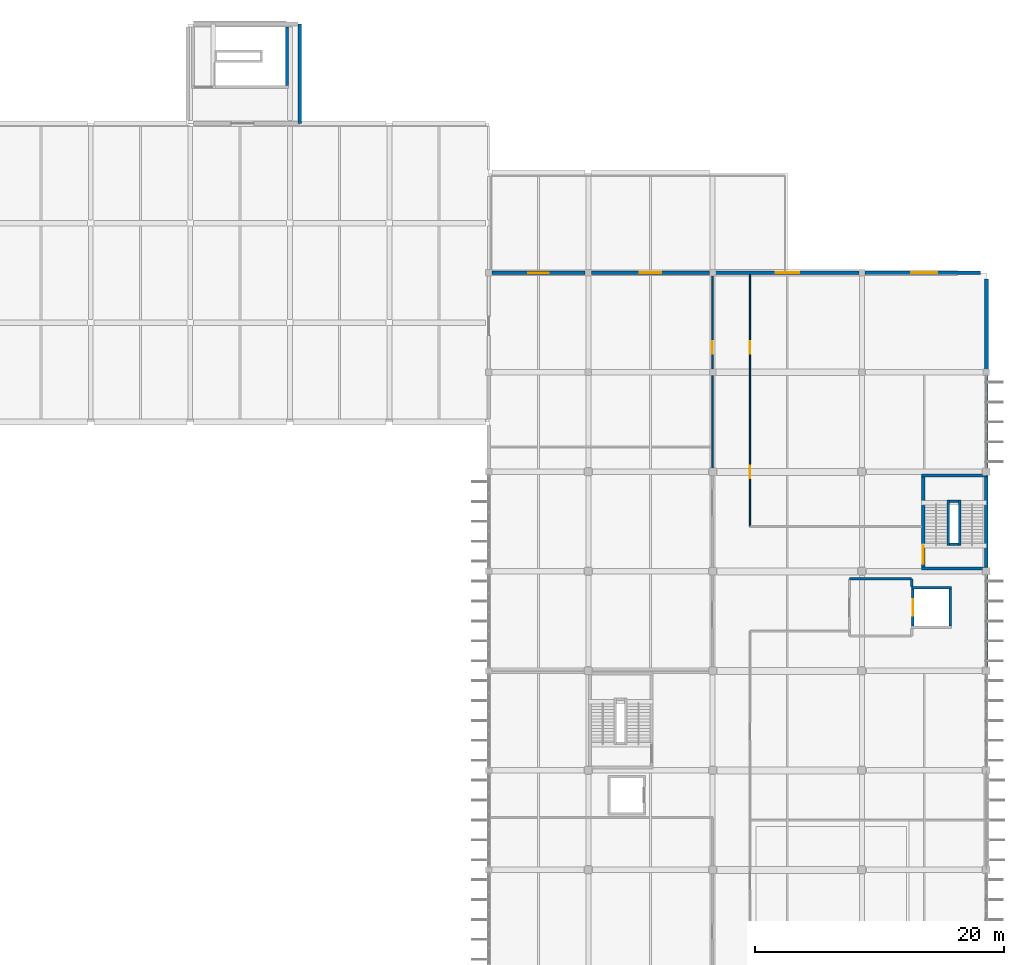
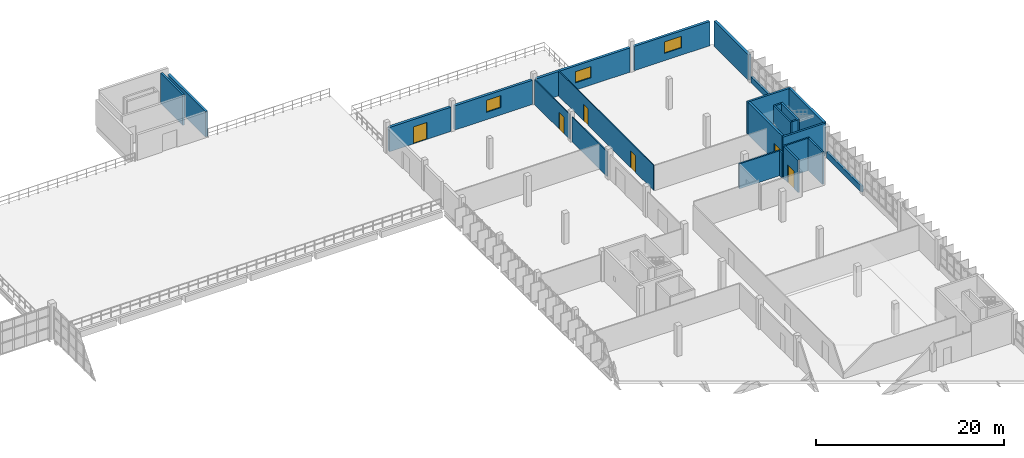
# One storey, part 53 of 66: 25 walls, 6 doors, 3 windows, 9 openings.
"""IFC4 building model written with IfcOpenShell, lengths in metres."""

from ifc_helpers import new_model, si_unit, direction, frame, frame_2d, origin, place, context, subcontext, project, spatial, rectangle, extrude, material, layer, layer_set, type_object, element, fill, save


model = new_model("IFC4")

# Units and contexts
model_context = context("Model", 3, precision=1e-05, world=origin(), true_north=direction((0.0, 1.0)))
body_context = subcontext(model_context, "Body", "Model", "MODEL_VIEW")
ifc_project = project(units=[si_unit("LENGTHUNIT", "METRE"), si_unit("AREAUNIT", "SQUARE_METRE"), si_unit("VOLUMEUNIT", "CUBIC_METRE"), si_unit("PLANEANGLEUNIT", "RADIAN"), si_unit("MASSUNIT", "GRAM", prefix="KILO")], contexts=[model_context])

# Site, building, storey
site_placement = place(None, origin())
site = spatial("IfcSite", under=ifc_project, at=site_placement, CompositionType="ELEMENT")
building_placement = place(site_placement, origin())
building = spatial("IfcBuilding", under=site, at=building_placement, Name="Drelvana Railside Aquatics Centre", CompositionType="ELEMENT")
storey_placement = place(building_placement, frame((0.0, 0.0, 10.199951171875)))
storey = spatial("IfcBuildingStorey", under=building, at=storey_placement, Name="L02", CompositionType="ELEMENT", Elevation=10.199951171875)

# Walls
ifc_material_1 = material(Name="Concrete blockwork compartment wall", Category="masonry")
ifc_layer_1 = layer(ifc_material_1, 0.18505859375, Name="Concrete blockwork compartment wall")
ifc_layer_set_1 = layer_set([ifc_layer_1], Name="Concrete blockwork compartment wall")
wall_type_1 = type_object("IfcWallType", Name="WL-COMP-185", PredefinedType="STANDARD", material=ifc_layer_set_1)
wall_1_placement = place(storey_placement, frame((173.0, 71.39990234375, 0.0), z_axis=(0.0, 0.0, 1.0), x_axis=(1.0, 0.0, 0.0)))
element("IfcWall", 1, at=wall_1_placement, inside=storey, type_object=wall_type_1, Name="Firefighting lobby FL-02 N wall (L02)", PredefinedType="STANDARD", context=body_context, shape_type="SweptSolid", body=[
    extrude(rectangle(XDim=5.0, YDim=0.18505859375, at=frame_2d((2.5, 0.0))), origin(), (0.0, 0.0, 1.0), 3.239990234375),
])
wall_2_placement = place(storey_placement, frame((178.0, 70.800048828125, 0.0), z_axis=(0.0, 0.0, 1.0), x_axis=(0.0, 1.0, 0.0)))
element("IfcWall", 2, at=wall_2_placement, inside=storey, type_object=wall_type_1, Name="Firefighting lobby FL-02 SHN wall (L02)", PredefinedType="STANDARD", context=body_context, shape_type="SweptSolid", body=[
    extrude(rectangle(XDim=0.599853515625, YDim=0.18505859375, at=frame_2d((0.2998046875, 0.0))), origin(), (0.0, 0.0, 1.0), 3.239990234375),
])
ifc_material_2 = material(Name="Concrete C40/50", Category="concrete")
ifc_layer_2 = layer(ifc_material_2, 0.25, Name="Concrete C40/50")
ifc_layer_set_2 = layer_set([ifc_layer_2], Name="Concrete C40/50")
wall_type_2 = type_object("IfcWallType", Name="WL-CORE-250", PredefinedType="SHEAR", material=ifc_layer_set_2)
wall_3_placement = place(storey_placement, frame((127.77490234375, 111.050048828125, 0.0), z_axis=(0.0, 0.0, 1.0), x_axis=(0.0, 1.0, 0.0)))
element("IfcWall", 3, at=wall_3_placement, inside=storey, type_object=wall_type_2, Name="Core 5 Changing Pavilion North E core wall (L02)", PredefinedType="SHEAR", context=body_context, shape_type="SweptSolid", body=[
    extrude(rectangle(XDim=4.699951171875, YDim=0.25, at=frame_2d((2.35009765625, 0.0))), origin(), (0.0, 0.0, 1.0), 3.9599609375),
])
for number, where, z_axis, x_axis, name in (
    (4, (178.800048828125, 72.22509765625, 0.0), (0.0, 0.0, 1.0), (1.0, 0.0, 0.0), "Core 7 Federation Wing Avenue-East S core wall (L02)"),
    (5, (178.800048828125, 79.715087890625, 0.0), (0.0, 0.0, 1.0), (1.0, 0.0, 0.0), "Core 7 Federation Wing Avenue-East N core wall (L02)"),
):
    element("IfcWall", number, at=place(storey_placement, frame(where, z_axis=z_axis, x_axis=x_axis)), inside=storey, type_object=wall_type_2, Name=name, PredefinedType="SHEAR", context=body_context, shape_type="SweptSolid", body=[
        extrude(rectangle(XDim=5.199951171875, YDim=0.25, at=frame_2d((2.60009765625, 0.0))), origin(), (0.0, 0.0, 1.0), 4.199951171875),
    ])

# Wall, opening, door
wall_4_placement = place(storey_placement, frame((178.925048828125, 72.35009765625, 0.0), z_axis=(0.0, 0.0, 1.0), x_axis=(0.0, 1.0, 0.0)))
wall_4 = element("IfcWall", 6, at=wall_4_placement, inside=storey, type_object=wall_type_2, Name="Core 7 Federation Wing Avenue-East W core wall (L02)", PredefinedType="SHEAR", context=body_context, shape_type="SweptSolid", body=[
    extrude(rectangle(XDim=7.239990234375, YDim=0.25, at=frame_2d((3.6201171875, 0.0))), origin(), (0.0, 0.0, 1.0), 4.199951171875),
])
opening_1_placement = place(wall_4_placement, frame((0.25, 0.0, 0.0)))
opening_1 = element("IfcOpeningElement", 7, at=opening_1_placement, cuts=wall_4, Name="Opening D-01-056", PredefinedType="OPENING", context=body_context, shape_type="SweptSolid", body=[
    extrude(rectangle(XDim=1.449951171875, YDim=2.199951171875, at=frame_2d((0.72509765625, 1.10009765625))), frame((0.0, 0.135009765625, 0.0), z_axis=(0.0, -1.0, 0.0), x_axis=(1.0, 0.0, 0.0)), (0.0, 0.0, 1.0), 0.27001953125),
])
ifc_material_3 = material(Name="Fire-rated steel and vision-panel door", Category="steel")
door_type_1 = type_object("IfcDoorType", Name="DR-INT-STAIR-1450x2200", OperationType="DOUBLE_DOOR_SINGLE_SWING", PredefinedType="DOOR", material=ifc_material_3)
door_1_placement = place(opening_1_placement, origin())
door_1 = element("IfcDoor", 8, at=door_1_placement, inside=storey, type_object=door_type_1, Name="Stair ST-07 lobby door D-01-056", OperationType="DOUBLE_DOOR_SINGLE_SWING", OverallHeight=2.199951171875, OverallWidth=1.449951171875, PredefinedType="DOOR", context=body_context, shape_type="SweptSolid", body=[
    extrude(rectangle(XDim=1.449951171875, YDim=2.199951171875, at=frame_2d((0.72509765625, 1.10009765625))), frame((0.0, 0.02490234375, 0.0), z_axis=(0.0, -1.0, 0.0), x_axis=(1.0, 0.0, 0.0)), (0.0, 0.0, 1.0), 0.050048828125),
])
fill(opening_1, door_1)

# Walls
ifc_layer_3 = layer(ifc_material_2, 0.300048828125, Name="Concrete C40/50")
ifc_layer_set_3 = layer_set([ifc_layer_3], Name="Concrete C40/50")
wall_type_3 = type_object("IfcWallType", Name="WL-CORE-300", PredefinedType="SHEAR", material=ifc_layer_set_3)
wall_5_placement = place(storey_placement, frame((184.0, 72.2958984375, 0.0), z_axis=(0.0, 0.0, 1.0), x_axis=(0.0, 1.0, 0.0)))
element("IfcWall", 9, at=wall_5_placement, inside=storey, type_object=wall_type_3, Name="Core east avenue shear wall 72 (L02)", PredefinedType="SHEAR", context=body_context, shape_type="SweptSolid", body=[
    extrude(rectangle(XDim=7.408203125, YDim=0.300048828125, at=frame_2d((3.7041015625, 0.0))), origin(), (0.0, 0.0, 1.0), 4.199951171875),
])
ifc_material_4 = material(Name="Acoustic twin-stud gypsum partition", Category="gypsum")
ifc_layer_4 = layer(ifc_material_4, 0.1201171875, Name="Acoustic twin-stud gypsum partition")
ifc_layer_set_4 = layer_set([ifc_layer_4], Name="Acoustic twin-stud gypsum partition")
wall_type_4 = type_object("IfcWallType", Name="WL-DRY-120", PredefinedType="PARTITIONING", material=ifc_layer_set_4)
wall_6_placement = place(storey_placement, frame((162.0, 80.302001953125, 0.0), z_axis=(0.0, 0.0, 1.0), x_axis=(0.0, 1.0, 0.0)))
element("IfcWall", 10, at=wall_6_placement, inside=storey, type_object=wall_type_4, Name="V5 L02 west corridor wall", PredefinedType="PARTITIONING", context=body_context, shape_type="SweptSolid", body=[
    extrude(rectangle(XDim=7.446044921875, YDim=0.1201171875, at=frame_2d((3.72314453125, 0.0))), origin(), (0.0, 0.0, 1.0), 3.239990234375),
])

# Wall, opening, door
wall_7_placement = place(storey_placement, frame((162.0, 88.251953125, 0.0), z_axis=(0.0, 0.0, 1.0), x_axis=(0.0, 1.0, 0.0)))
wall_7 = element("IfcWall", 11, at=wall_7_placement, inside=storey, type_object=wall_type_4, Name="V5 L02 west corridor wall", PredefinedType="PARTITIONING", context=body_context, shape_type="SweptSolid", body=[
    extrude(rectangle(XDim=7.49609375, YDim=0.1201171875, at=frame_2d((3.748046875, 0.0))), origin(), (0.0, 0.0, 1.0), 3.239990234375),
])
opening_2_placement = place(wall_7_placement, frame((1.248046875, 0.0, 0.0)))
opening_2 = element("IfcOpeningElement", 12, at=opening_2_placement, cuts=wall_7, Name="Opening D-09-228", PredefinedType="OPENING", context=body_context, shape_type="SweptSolid", body=[
    extrude(rectangle(XDim=1.0, YDim=2.14990234375, at=frame_2d((0.5, 1.074951171875))), frame((0.0, 0.070068359375, 0.0), z_axis=(0.0, -1.0, 0.0), x_axis=(1.0, 0.0, 0.0)), (0.0, 0.0, 1.0), 0.14013671875),
])
ifc_material_5 = material(Name="Hardwood acoustic room door", Category="wood")
door_type_2 = type_object("IfcDoorType", Name="DR-INT-ROOM-1000x2150", OperationType="NOTDEFINED", PredefinedType="DOOR", material=ifc_material_5)
door_2_placement = place(opening_2_placement, origin())
door_2 = element("IfcDoor", 13, at=door_2_placement, inside=storey, type_object=door_type_2, Name="North terrace sun lounge door D-09-228", OperationType="SINGLE_SWING_LEFT", OverallHeight=2.14990234375, OverallWidth=1.0, PredefinedType="DOOR", context=body_context, shape_type="SweptSolid", body=[
    extrude(rectangle(XDim=1.0, YDim=2.14990234375, at=frame_2d((0.5, 1.074951171875))), frame((0.0, 0.02490234375, 0.0), z_axis=(0.0, -1.0, 0.0), x_axis=(1.0, 0.0, 0.0)), (0.0, 0.0, 1.0), 0.050048828125),
])
fill(opening_2, door_2)

# Wall, openings, doors
wall_8_placement = place(storey_placement, frame((165.0, 75.60009765625, 0.0), z_axis=(0.0, 0.0, 1.0), x_axis=(0.0, 1.0, 0.0)))
wall_8 = element("IfcWall", 14, at=wall_8_placement, inside=storey, type_object=wall_type_4, Name="V5 L02 east corridor wall", PredefinedType="PARTITIONING", context=body_context, shape_type="SweptSolid", body=[
    extrude(rectangle(XDim=20.25, YDim=0.1201171875, at=frame_2d((10.125, 0.0))), origin(), (0.0, 0.0, 1.0), 3.239990234375),
])
opening_3_placement = place(wall_8_placement, frame((3.89990234375, 0.0, 0.0)))
opening_3 = element("IfcOpeningElement", 15, at=opening_3_placement, cuts=wall_8, Name="Opening D-09-235", PredefinedType="OPENING", context=body_context, shape_type="SweptSolid", body=[
    extrude(rectangle(XDim=1.0, YDim=2.14990234375, at=frame_2d((0.5, 1.074951171875))), frame((0.0, 0.070068359375, 0.0), z_axis=(0.0, -1.0, 0.0), x_axis=(1.0, 0.0, 0.0)), (0.0, 0.0, 1.0), 0.14013671875),
])
opening_4_placement = place(wall_8_placement, frame((13.89990234375, 0.0, 0.0)))
opening_4 = element("IfcOpeningElement", 16, at=opening_4_placement, cuts=wall_8, Name="Opening D-09-236", PredefinedType="OPENING", context=body_context, shape_type="SweptSolid", body=[
    extrude(rectangle(XDim=1.0, YDim=2.14990234375, at=frame_2d((0.5, 1.074951171875))), frame((0.0, 0.070068359375, 0.0), z_axis=(0.0, -1.0, 0.0), x_axis=(1.0, 0.0, 0.0)), (0.0, 0.0, 1.0), 0.14013671875),
])
door_3_placement = place(opening_3_placement, origin())
door_3 = element("IfcDoor", 17, at=door_3_placement, inside=storey, type_object=door_type_2, Name="Holistic treatment south door D-09-235", OperationType="SINGLE_SWING_RIGHT", OverallHeight=2.14990234375, OverallWidth=1.0, PredefinedType="DOOR", context=body_context, shape_type="SweptSolid", body=[
    extrude(rectangle(XDim=1.0, YDim=2.14990234375, at=frame_2d((0.5, 1.074951171875))), frame((0.0, 0.02490234375, 0.0), z_axis=(0.0, -1.0, 0.0), x_axis=(1.0, 0.0, 0.0)), (0.0, 0.0, 1.0), 0.050048828125),
])
fill(opening_3, door_3)
door_4_placement = place(opening_4_placement, origin())
door_4 = element("IfcDoor", 18, at=door_4_placement, inside=storey, type_object=door_type_2, Name="Holistic treatment north door D-09-236", OperationType="SINGLE_SWING_LEFT", OverallHeight=2.14990234375, OverallWidth=1.0, PredefinedType="DOOR", context=body_context, shape_type="SweptSolid", body=[
    extrude(rectangle(XDim=1.0, YDim=2.14990234375, at=frame_2d((0.5, 1.074951171875))), frame((0.0, 0.02490234375, 0.0), z_axis=(0.0, -1.0, 0.0), x_axis=(1.0, 0.0, 0.0)), (0.0, 0.0, 1.0), 0.050048828125),
])
fill(opening_4, door_4)

# Walls
ifc_material_6 = material(Name="Glazed ceramic spandrel wall", Category="masonry")
ifc_layer_5 = layer(ifc_material_6, 0.27001953125, Name="Glazed ceramic spandrel wall")
ifc_layer_set_5 = layer_set([ifc_layer_5], Name="Glazed ceramic spandrel wall")
wall_type_5 = type_object("IfcWallType", Name="WL-EXT-270", PredefinedType="STANDARD", material=ifc_layer_set_5)
wall_9_placement = place(storey_placement, frame((184.0, 64.2958984375, 0.0), z_axis=(0.0, 0.0, 1.0), x_axis=(0.0, 1.0, 0.0)))
element("IfcWall", 19, at=wall_9_placement, inside=storey, type_object=wall_type_5, Name="V5 East L02 sill spandrel", PredefinedType="STANDARD", context=body_context, shape_type="SweptSolid", body=[
    extrude(rectangle(XDim=7.408203125, YDim=0.27001953125, at=frame_2d((3.7041015625, 0.0))), origin(), (0.0, 0.0, 1.0), 0.800048828125),
])
wall_10_placement = place(storey_placement, frame((184.0, 80.2958984375, 0.0), z_axis=(0.0, 0.0, 1.0), x_axis=(0.0, 1.0, 0.0)))
element("IfcWall", 20, at=wall_10_placement, inside=storey, type_object=wall_type_5, Name="V5 East L02 sill spandrel", PredefinedType="STANDARD", context=body_context, shape_type="SweptSolid", body=[
    extrude(rectangle(XDim=7.4580078125, YDim=0.27001953125, at=frame_2d((3.72900390625, 0.0))), origin(), (0.0, 0.0, 1.0), 0.800048828125),
])
ifc_material_7 = material(Name="Glazed ceramic and masonry facade wall", Category="masonry")
ifc_layer_6 = layer(ifc_material_7, 0.2900390625, Name="Glazed ceramic and masonry facade wall")
ifc_layer_set_6 = layer_set([ifc_layer_6], Name="Glazed ceramic and masonry facade wall")
wall_type_6 = type_object("IfcWallType", Name="WL-EXT-290", PredefinedType="STANDARD", material=ifc_layer_set_6)
wall_11_placement = place(storey_placement, frame((128.800048828125, 108.0, 0.0), z_axis=(0.0, 0.0, 1.0), x_axis=(0.0, 1.0, 0.0)))
element("IfcWall", 21, at=wall_11_placement, inside=storey, type_object=wall_type_6, Name="Core 5 L02 east wall", PredefinedType="STANDARD", context=body_context, shape_type="SweptSolid", body=[
    extrude(rectangle(XDim=8.0, YDim=0.2900390625, at=frame_2d((4.0, 0.0))), origin(), (0.0, 0.0, 1.0), 3.300048828125),
])
ifc_material_8 = material(Name="Terracotta rainscreen masonry wall", Category="masonry")
ifc_layer_7 = layer(ifc_material_8, 0.31005859375, Name="Terracotta rainscreen masonry wall")
ifc_layer_set_7 = layer_set([ifc_layer_7], Name="Terracotta rainscreen masonry wall")
wall_type_7 = type_object("IfcWallType", Name="WL-EXT-310", PredefinedType="STANDARD", material=ifc_layer_set_7)
wall_12_placement = place(storey_placement, frame((184.0, 88.24609375, 0.0), z_axis=(0.0, 0.0, 1.0), x_axis=(0.0, 1.0, 0.0)))
element("IfcWall", 22, at=wall_12_placement, inside=storey, type_object=wall_type_7, Name="V5 East L02 north bay wall", PredefinedType="STANDARD", context=body_context, shape_type="SweptSolid", body=[
    extrude(rectangle(XDim=7.27392578125, YDim=0.31005859375, at=frame_2d((3.636962890625, 0.0))), origin(), (0.0, 0.0, 1.0), 3.300048828125),
])

# Wall, opening, door
wall_13_placement = place(storey_placement, frame((144.24609375, 96.0, 0.0), z_axis=(0.0, 0.0, 1.0), x_axis=(1.0, 0.0, 0.0)))
wall_13 = element("IfcWall", 23, at=wall_13_placement, inside=storey, type_object=wall_type_7, Name="V5 L02 end bay wall", PredefinedType="STANDARD", context=body_context, shape_type="SweptSolid", body=[
    extrude(rectangle(XDim=7.5078125, YDim=0.31005859375, at=frame_2d((3.75390625, 0.0))), origin(), (0.0, 0.0, 1.0), 3.150146484375),
])
opening_5_placement = place(wall_13_placement, frame((2.928955078125, 0.0, 0.0)))
opening_5 = element("IfcOpeningElement", 24, at=opening_5_placement, cuts=wall_13, Name="Opening EX-06-027", PredefinedType="OPENING", context=body_context, shape_type="SweptSolid", body=[
    extrude(rectangle(XDim=1.64990234375, YDim=2.199951171875, at=frame_2d((0.824951171875, 1.10009765625))), frame((0.0, 0.1650390625, 0.0), z_axis=(0.0, -1.0, 0.0), x_axis=(1.0, 0.0, 0.0)), (0.0, 0.0, 1.0), 0.330078125),
])
ifc_material_9 = material(Name="Thermally broken bronze-anodised aluminium and glazed door", Category="aluminium")
door_type_3 = type_object("IfcDoorType", Name="DR-EXT-TER-1650x2200", OperationType="DOUBLE_DOOR_SINGLE_SWING", PredefinedType="DOOR", material=ifc_material_9)
door_5_placement = place(opening_5_placement, origin())
door_5 = element("IfcDoor", 25, at=door_5_placement, inside=storey, type_object=door_type_3, Name="L02 outdoor terrace door EX-06-027", OperationType="DOUBLE_DOOR_SINGLE_SWING", OverallHeight=2.199951171875, OverallWidth=1.64990234375, PredefinedType="DOOR", context=body_context, shape_type="SweptSolid", body=[
    extrude(rectangle(XDim=1.64990234375, YDim=2.199951171875, at=frame_2d((0.824951171875, 1.10009765625))), frame((0.0, 0.02490234375, 0.0), z_axis=(0.0, -1.0, 0.0), x_axis=(1.0, 0.0, 0.0)), (0.0, 0.0, 1.0), 0.050048828125),
])
fill(opening_5, door_5)

# Wall, opening, window
wall_14_placement = place(storey_placement, frame((152.24609375, 96.0, 0.0), z_axis=(0.0, 0.0, 1.0), x_axis=(1.0, 0.0, 0.0)))
wall_14 = element("IfcWall", 26, at=wall_14_placement, inside=storey, type_object=wall_type_7, Name="V5 L02 end bay wall", PredefinedType="STANDARD", context=body_context, shape_type="SweptSolid", body=[
    extrude(rectangle(XDim=9.5078125, YDim=0.31005859375, at=frame_2d((4.75390625, 0.0))), origin(), (0.0, 0.0, 1.0), 3.150146484375),
])
opening_6_placement = place(wall_14_placement, frame((3.87890625, 0.0, 0.949951171875)))
opening_6 = element("IfcOpeningElement", 27, at=opening_6_placement, cuts=wall_14, Name="Opening W-21", PredefinedType="OPENING", context=body_context, shape_type="SweptSolid", body=[
    extrude(rectangle(XDim=1.75, YDim=1.550048828125, at=frame_2d((0.875, 0.77490234375))), frame((0.0, 0.1650390625, 0.0), z_axis=(0.0, -1.0, 0.0), x_axis=(1.0, 0.0, 0.0)), (0.0, 0.0, 1.0), 0.330078125),
])
ifc_material_10 = material(Name="Double-glazed solar-control aluminium window", Category="aluminium")
window_type_1 = type_object("IfcWindowType", Name="WIN-21", PartitioningType="SINGLE_PANEL", PredefinedType="WINDOW", material=ifc_material_10)
window_1_placement = place(opening_6_placement, origin())
window_1 = element("IfcWindow", 28, at=window_1_placement, inside=storey, type_object=window_type_1, Name="V5 L02 end window WIN-21", OverallHeight=1.550048828125, OverallWidth=1.75, PartitioningType="SINGLE_PANEL", PredefinedType="WINDOW", context=body_context, shape_type="SweptSolid", body=[
    extrude(rectangle(XDim=1.75, YDim=1.550048828125, at=frame_2d((0.875, 0.77490234375))), frame((0.0, 0.030029296875, 0.0), z_axis=(0.0, -1.0, 0.0), x_axis=(1.0, 0.0, 0.0)), (0.0, 0.0, 1.0), 0.06005859375),
])
fill(opening_6, window_1)

wall_15_placement = place(storey_placement, frame((162.24609375, 96.0, 0.0), z_axis=(0.0, 0.0, 1.0), x_axis=(1.0, 0.0, 0.0)))
wall_15 = element("IfcWall", 29, at=wall_15_placement, inside=storey, type_object=wall_type_7, Name="V5 L02 end bay wall", PredefinedType="STANDARD", context=body_context, shape_type="SweptSolid", body=[
    extrude(rectangle(XDim=11.5078125, YDim=0.31005859375, at=frame_2d((5.75390625, 0.0))), origin(), (0.0, 0.0, 1.0), 3.150146484375),
])
opening_7_placement = place(wall_15_placement, frame((4.803955078125, 0.0, 0.949951171875)))
opening_7 = element("IfcOpeningElement", 30, at=opening_7_placement, cuts=wall_15, Name="Opening W-23", PredefinedType="OPENING", context=body_context, shape_type="SweptSolid", body=[
    extrude(rectangle(XDim=1.89990234375, YDim=1.449951171875, at=frame_2d((0.949951171875, 0.72509765625))), frame((0.0, 0.1650390625, 0.0), z_axis=(0.0, -1.0, 0.0), x_axis=(1.0, 0.0, 0.0)), (0.0, 0.0, 1.0), 0.330078125),
])
window_type_2 = type_object("IfcWindowType", Name="WIN-23", PartitioningType="SINGLE_PANEL", PredefinedType="WINDOW", material=ifc_material_10)
window_2_placement = place(opening_7_placement, origin())
window_2 = element("IfcWindow", 31, at=window_2_placement, inside=storey, type_object=window_type_2, Name="V5 L02 end window WIN-23", OverallHeight=1.449951171875, OverallWidth=1.89990234375, PartitioningType="SINGLE_PANEL", PredefinedType="WINDOW", context=body_context, shape_type="SweptSolid", body=[
    extrude(rectangle(XDim=1.89990234375, YDim=1.449951171875, at=frame_2d((0.949951171875, 0.72509765625))), frame((0.0, 0.030029296875, 0.0), z_axis=(0.0, -1.0, 0.0), x_axis=(1.0, 0.0, 0.0)), (0.0, 0.0, 1.0), 0.06005859375),
])
fill(opening_7, window_2)

wall_16_placement = place(storey_placement, frame((174.24609375, 96.0, 0.0), z_axis=(0.0, 0.0, 1.0), x_axis=(1.0, 0.0, 0.0)))
wall_16 = element("IfcWall", 32, at=wall_16_placement, inside=storey, type_object=wall_type_7, Name="V5 L02 end bay wall", PredefinedType="STANDARD", context=body_context, shape_type="SweptSolid", body=[
    extrude(rectangle(XDim=9.27392578125, YDim=0.31005859375, at=frame_2d((4.636962890625, 0.0))), origin(), (0.0, 0.0, 1.0), 3.150146484375),
])
opening_8_placement = place(wall_16_placement, frame((3.7041015625, 0.0, 0.949951171875)))
opening_8 = element("IfcOpeningElement", 33, at=opening_8_placement, cuts=wall_16, Name="Opening W-25", PredefinedType="OPENING", context=body_context, shape_type="SweptSolid", body=[
    extrude(rectangle(XDim=2.10009765625, YDim=1.5, at=frame_2d((1.050048828125, 0.75))), frame((0.0, 0.1650390625, 0.0), z_axis=(0.0, -1.0, 0.0), x_axis=(1.0, 0.0, 0.0)), (0.0, 0.0, 1.0), 0.330078125),
])
window_type_3 = type_object("IfcWindowType", Name="WIN-25", PartitioningType="SINGLE_PANEL", PredefinedType="WINDOW", material=ifc_material_10)
window_3_placement = place(opening_8_placement, origin())
window_3 = element("IfcWindow", 34, at=window_3_placement, inside=storey, type_object=window_type_3, Name="V5 L02 end window WIN-25", OverallHeight=1.5, OverallWidth=2.10009765625, PartitioningType="SINGLE_PANEL", PredefinedType="WINDOW", context=body_context, shape_type="SweptSolid", body=[
    extrude(rectangle(XDim=2.10009765625, YDim=1.5, at=frame_2d((1.050048828125, 0.75))), frame((0.0, 0.030029296875, 0.0), z_axis=(0.0, -1.0, 0.0), x_axis=(1.0, 0.0, 0.0)), (0.0, 0.0, 1.0), 0.06005859375),
])
fill(opening_8, window_3)

# Walls
ifc_layer_8 = layer(ifc_material_2, 0.199951171875, Name="Concrete C40/50")
ifc_layer_set_8 = layer_set([ifc_layer_8], Name="Concrete C40/50")
wall_type_8 = type_object("IfcWallType", Name="WL-SHFT-200", PredefinedType="SHEAR", material=ifc_layer_set_8)
for number, where, z_axis, x_axis, name in (
    (35, (180.949951171875, 74.090087890625, 0.0), (0.0, 0.0, 1.0), (0.0, 1.0, 0.0), "Stair ST-07 central spine wall A (L02)"),
    (36, (181.85009765625, 74.090087890625, 0.0), (0.0, 0.0, 1.0), (0.0, 1.0, 0.0), "Stair ST-07 central spine wall B (L02)"),
):
    element("IfcWall", number, at=place(storey_placement, frame(where, z_axis=z_axis, x_axis=x_axis)), inside=storey, type_object=wall_type_8, Name=name, PredefinedType="SHEAR", context=body_context, shape_type="SweptSolid", body=[
        extrude(rectangle(XDim=3.659912109375, YDim=0.199951171875, at=frame_2d((1.830078125, 0.0))), origin(), (0.0, 0.0, 1.0), 4.199951171875),
    ])
for number, where, z_axis, x_axis, name in (
    (37, (181.050048828125, 74.18994140625, 0.0), (0.0, 0.0, 1.0), (1.0, 0.0, 0.0), "Stair ST-07 central spine wall S (L02)"),
    (38, (181.050048828125, 77.64990234375, 0.0), (0.0, 0.0, 1.0), (1.0, 0.0, 0.0), "Stair ST-07 central spine wall N (L02)"),
):
    element("IfcWall", number, at=place(storey_placement, frame(where, z_axis=z_axis, x_axis=x_axis)), inside=storey, type_object=wall_type_8, Name=name, PredefinedType="SHEAR", context=body_context, shape_type="SweptSolid", body=[
        extrude(rectangle(XDim=0.699951171875, YDim=0.199951171875, at=frame_2d((0.35009765625, 0.0))), origin(), (0.0, 0.0, 1.0), 4.199951171875),
    ])
wall_17_placement = place(storey_placement, frame((178.0, 70.699951171875, 0.0), z_axis=(0.0, 0.0, 1.0), x_axis=(1.0, 0.0, 0.0)))
element("IfcWall", 39, at=wall_17_placement, inside=storey, type_object=wall_type_8, Name="Lift FL-02 N shaft wall (L02)", PredefinedType="SHEAR", context=body_context, shape_type="SweptSolid", body=[
    extrude(rectangle(XDim=3.199951171875, YDim=0.199951171875, at=frame_2d((1.60009765625, 0.0))), origin(), (0.0, 0.0, 1.0), 4.199951171875),
])

# Wall, opening, door
wall_18_placement = place(storey_placement, frame((178.10009765625, 67.60009765625, 0.0), z_axis=(0.0, 0.0, 1.0), x_axis=(0.0, 1.0, 0.0)))
wall_18 = element("IfcWall", 40, at=wall_18_placement, inside=storey, type_object=wall_type_8, Name="Lift FL-02 W shaft wall (L02)", PredefinedType="SHEAR", context=body_context, shape_type="SweptSolid", body=[
    extrude(rectangle(XDim=3.0, YDim=0.199951171875, at=frame_2d((1.5, 0.0))), origin(), (0.0, 0.0, 1.0), 4.199951171875),
])
opening_9_placement = place(wall_18_placement, frame((0.85009765625, 0.0, 0.0)))
opening_9 = element("IfcOpeningElement", 41, at=opening_9_placement, cuts=wall_18, Name="Opening LD-02-065", PredefinedType="OPENING", context=body_context, shape_type="SweptSolid", body=[
    extrude(rectangle(XDim=1.300048828125, YDim=2.300048828125, at=frame_2d((0.64990234375, 1.14990234375))), frame((0.0, 0.10986328125, 0.0), z_axis=(0.0, -1.0, 0.0), x_axis=(1.0, 0.0, 0.0)), (0.0, 0.0, 1.0), 0.219970703125),
])
ifc_material_11 = material(Name="Firefighting & goods lift sliding door", Category="wood")
door_type_4 = type_object("IfcDoorType", Name="DR-LIFT-LD-1300x2300", OperationType="SLIDING_TO_RIGHT", PredefinedType="DOOR", material=ifc_material_11)
door_6_placement = place(opening_9_placement, origin())
door_6 = element("IfcDoor", 42, at=door_6_placement, inside=storey, type_object=door_type_4, Name="Lift FL-02 landing door LD-02-065", OperationType="SLIDING_TO_RIGHT", OverallHeight=2.300048828125, OverallWidth=1.300048828125, PredefinedType="DOOR", context=body_context, shape_type="SweptSolid", body=[
    extrude(rectangle(XDim=1.300048828125, YDim=2.300048828125, at=frame_2d((0.64990234375, 1.14990234375))), frame((0.0, 0.02490234375, 0.0), z_axis=(0.0, -1.0, 0.0), x_axis=(1.0, 0.0, 0.0)), (0.0, 0.0, 1.0), 0.050048828125),
])
fill(opening_9, door_6)

# Wall
wall_19_placement = place(storey_placement, frame((181.10009765625, 67.60009765625, 0.0), z_axis=(0.0, 0.0, 1.0), x_axis=(0.0, 1.0, 0.0)))
element("IfcWall", 43, at=wall_19_placement, inside=storey, type_object=wall_type_8, Name="Lift FL-02 E shaft wall (L02)", PredefinedType="SHEAR", context=body_context, shape_type="SweptSolid", body=[
    extrude(rectangle(XDim=3.0, YDim=0.199951171875, at=frame_2d((1.5, 0.0))), origin(), (0.0, 0.0, 1.0), 4.199951171875),
])

save(model, "model.ifc")
